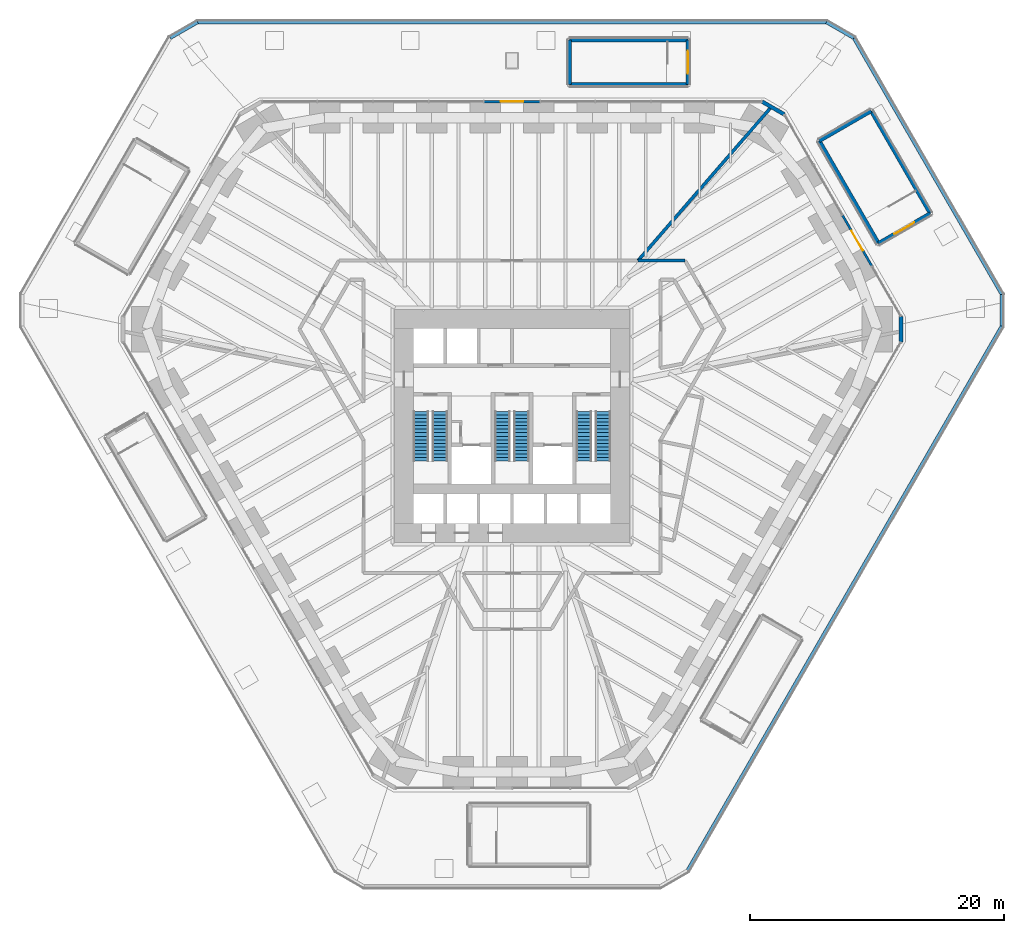
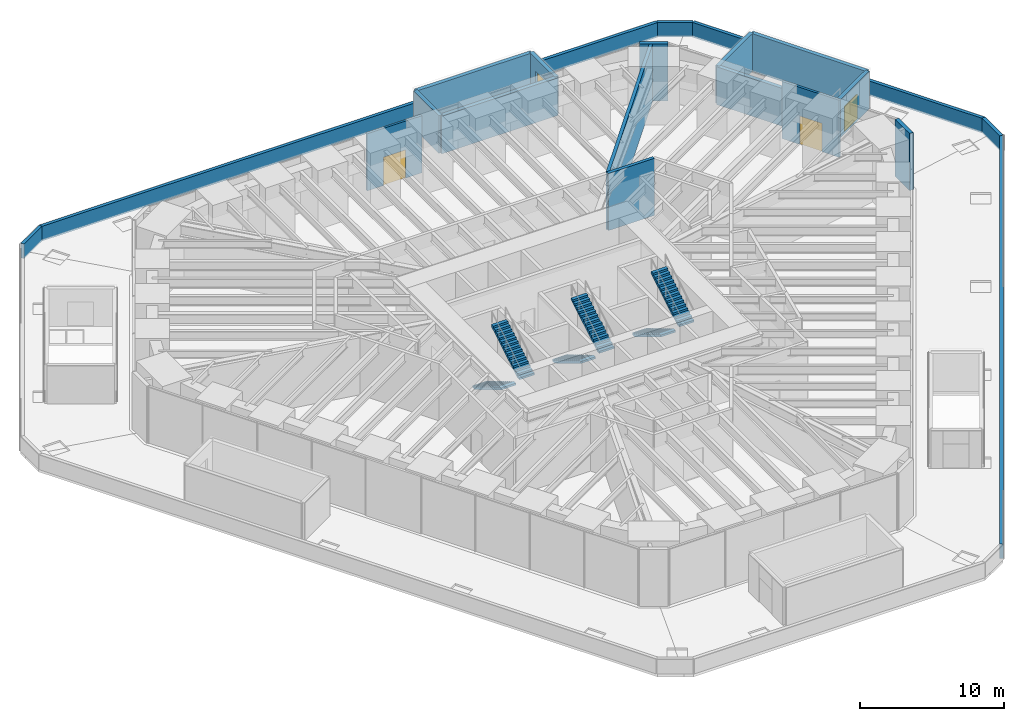
# One storey, part 14 of 20: 20 walls, 6 stair flights, 4 doors, 4 openings, 3 elements without a shape of their own.
"""IFC4 building model written with IfcOpenShell, lengths in metres."""

from ifc_helpers import new_model, si_unit, direction, frame, frame_2d, origin, place, context, subcontext, project, spatial, polyline, rectangle, outline, extrude, material, layer, layer_set, type_object, element, fill, aggregate, save


model = new_model("IFC4")

# Units and contexts
model_context = context("Model", 3, precision=1e-05, world=origin(), true_north=direction((0.0, 1.0)))
body_context = subcontext(model_context, "Body", "Model", "MODEL_VIEW")
ifc_project = project(units=[si_unit("LENGTHUNIT", "METRE"), si_unit("AREAUNIT", "SQUARE_METRE"), si_unit("VOLUMEUNIT", "CUBIC_METRE"), si_unit("PLANEANGLEUNIT", "RADIAN"), si_unit("MASSUNIT", "GRAM", prefix="KILO")], contexts=[model_context])

# Site, building, storey
site_placement = place(None, origin())
site = spatial("IfcSite", under=ifc_project, at=site_placement, CompositionType="ELEMENT")
building_placement = place(site_placement, origin())
building = spatial("IfcBuilding", under=site, at=building_placement, Name="Sandreach Pilgrim Tower", CompositionType="ELEMENT")
storey_placement = place(building_placement, frame((0.0, 0.0, 18.0)))
storey = spatial("IfcBuildingStorey", under=building, at=storey_placement, Name="L03", CompositionType="ELEMENT", Elevation=18.0)

# Wall, opening, door
ifc_material_1 = material(Name="Glazed aluminium screen", Category="aluminium")
ifc_layer_1 = layer(ifc_material_1, 0.179931640625)
ifc_layer_set_1 = layer_set([ifc_layer_1], Name="Glazed entrance screen wall")
wall_type_1 = type_object("IfcWallType", Name="Glazed entrance screen wall", PredefinedType="SOLIDWALL", material=ifc_layer_set_1)
wall_1_placement = place(storey_placement, frame((-2.185791015625, 23.94873046875, 0.0), z_axis=(0.0, 0.0, 1.0), x_axis=(1.0, 0.0, 0.0)))
wall_1 = element("IfcWall", 1, at=wall_1_placement, inside=storey, type_object=wall_type_1, Name="Terrace screen wall L03 N", PredefinedType="SOLIDWALL", context=body_context, shape_type="SweptSolid", body=[
    extrude(rectangle(XDim=4.37158203125, YDim=0.179931640625, at=frame_2d((2.185791015625, 0.0))), origin(), (0.0, 0.0, 1.0), 4.840087890625),
])
opening_1_placement = place(wall_1_placement, frame((1.285888671875, 0.0, 0.0)))
opening_1 = element("IfcOpeningElement", 2, at=opening_1_placement, cuts=wall_1, Name="Opening D18T-N1", PredefinedType="OPENING", context=body_context, shape_type="SweptSolid", body=[
    extrude(rectangle(XDim=1.800048828125, YDim=2.39990234375, at=frame_2d((0.89990234375, 1.199951171875))), frame((0.0, 0.08984375, 0.0), z_axis=(0.0, -1.0, 0.0), x_axis=(1.0, 0.0, 0.0)), (0.0, 0.0, 1.0), 0.179931640625),
])
ifc_material_2 = material(Name="Aluminium and glass", Category="aluminium")
door_type_1 = type_object("IfcDoorType", Name="Terrace double door", OperationType="DOUBLE_DOOR_SINGLE_SWING", PredefinedType="DOOR", material=ifc_material_2)
door_1_placement = place(opening_1_placement, origin())
door_1 = element("IfcDoor", 3, at=door_1_placement, inside=storey, type_object=door_type_1, Name="Terrace door L03 N1", OperationType="SINGLE_SWING_LEFT", OverallHeight=2.39990234375, OverallWidth=1.800048828125, PredefinedType="DOOR", context=body_context, shape_type="SweptSolid", body=[
    extrude(rectangle(XDim=1.800048828125, YDim=2.39990234375, at=frame_2d((0.89990234375, 1.199951171875))), frame((0.0, 0.02490234375, 0.0), z_axis=(0.0, -1.0, 0.0), x_axis=(1.0, 0.0, 0.0)), (0.0, 0.0, 1.0), 0.050048828125),
])
fill(opening_1, door_1)

wall_2_placement = place(storey_placement, frame((25.990234375, 15.00537109375, 0.0), z_axis=(0.0, 0.0, 1.0), x_axis=(0.499986657325, -0.866033107044, 0.0)))
wall_2 = element("IfcWall", 4, at=wall_2_placement, inside=storey, type_object=wall_type_1, Name="Terrace screen wall L03 NE", PredefinedType="SOLIDWALL", context=body_context, shape_type="SweptSolid", body=[
    extrude(rectangle(XDim=4.586181640625, YDim=0.179931640625, at=frame_2d((2.29296875, 0.0))), origin(), (0.0, 0.0, 1.0), 4.840087890625),
])
opening_2_placement = place(wall_2_placement, frame((1.39306640625, 0.0, 0.0)))
opening_2 = element("IfcOpeningElement", 5, at=opening_2_placement, cuts=wall_2, Name="Opening D18T-NE1", PredefinedType="OPENING", context=body_context, shape_type="SweptSolid", body=[
    extrude(rectangle(XDim=1.800048828125, YDim=2.39990234375, at=frame_2d((0.89990234375, 1.199951171875))), frame((0.0, 0.08984375, 0.0), z_axis=(0.0, -1.0, 0.0), x_axis=(1.0, 0.0, 0.0)), (0.0, 0.0, 1.0), 0.179931640625),
])
door_2_placement = place(opening_2_placement, origin())
door_2 = element("IfcDoor", 6, at=door_2_placement, inside=storey, type_object=door_type_1, Name="Terrace door L03 NE1", OperationType="SINGLE_SWING_LEFT", OverallHeight=2.39990234375, OverallWidth=1.800048828125, PredefinedType="DOOR", context=body_context, shape_type="SweptSolid", body=[
    extrude(rectangle(XDim=1.800048828125, YDim=2.39990234375, at=frame_2d((0.89990234375, 1.199951171875))), frame((0.0, 0.02490234375, 0.0), z_axis=(0.0, -1.0, 0.0), x_axis=(1.0, 0.0, 0.0)), (0.0, 0.0, 1.0), 0.050048828125),
])
fill(opening_2, door_2)

# Walls
ifc_material_3 = material(Name="Acoustic gypsum board wall, double frame", Category="gypsum")
ifc_layer_2 = layer(ifc_material_3, 0.25)
ifc_layer_set_2 = layer_set([ifc_layer_2], Name="Hall partition 250")
wall_type_2 = type_object("IfcWallType", Name="Hall partition 250", PredefinedType="PARTITIONING", material=ifc_layer_set_2)
wall_3_placement = place(storey_placement, frame((13.610107421875, 11.449951171875, 0.0), z_axis=(0.0, 0.0, 1.0), x_axis=(-1.0, 0.0, 0.0)))
element("IfcWall", 7, at=wall_3_placement, inside=storey, type_object=wall_type_2, Name="Hall partition L03-040", PredefinedType="PARTITIONING", context=body_context, shape_type="SweptSolid", body=[
    extrude(rectangle(XDim=3.7001953125, YDim=0.25, at=frame_2d((1.85009765625, 0.0))), origin(), (0.0, 0.0, 1.0), 4.840087890625),
])
wall_4_placement = place(storey_placement, frame((20.400390625, 23.54736328125, 0.0), z_axis=(0.0, 0.0, 1.0), x_axis=(-0.655146445725, -0.7555019091, 0.0)))
element("IfcWall", 8, at=wall_4_placement, inside=storey, type_object=wall_type_2, Name="Hall partition L03-048", PredefinedType="PARTITIONING", context=body_context, shape_type="SweptSolid", body=[
    extrude(rectangle(XDim=16.012451171875, YDim=0.25, at=frame_2d((8.00634765625, 0.0))), origin(), (0.0, 0.0, 1.0), 4.840087890625),
])
ifc_material_4 = material(Name="Concrete parapet with terracotta coping", Category="masonry")
ifc_layer_3 = layer(ifc_material_4, 0.25)
ifc_layer_set_3 = layer_set([ifc_layer_3], Name="Setback parapet")
wall_type_3 = type_object("IfcWallType", Name="Setback parapet", PredefinedType="PARAPET", material=ifc_layer_set_3)
wall_5_placement = place(storey_placement, frame((-24.711669921875, 30.19482421875, -0.14990234375), z_axis=(0.0, 0.0, 1.0), x_axis=(-0.866373182582, -0.499397145068, 0.0)))
element("IfcWall", 9, at=wall_5_placement, inside=storey, type_object=wall_type_3, Name="Setback parapet L03 1", PredefinedType="PARAPET", context=body_context, shape_type="SweptSolid", body=[
    extrude(rectangle(XDim=2.49072265625, YDim=0.25, at=frame_2d((1.245361328125, 0.0))), origin(), (0.0, 0.0, 1.0), 1.25),
])
wall_6_placement = place(storey_placement, frame((13.793701171875, -36.498291015625, -0.14990234375), z_axis=(0.0, 0.0, 1.0), x_axis=(0.500000964025, 0.866024847203, 0.0)))
element("IfcWall", 10, at=wall_6_placement, inside=storey, type_object=wall_type_3, Name="Setback parapet L03 8", PredefinedType="PARAPET", context=body_context, shape_type="SweptSolid", body=[
    extrude(rectangle(XDim=49.42333984375, YDim=0.25, at=frame_2d((24.711669921875, 0.0))), origin(), (0.0, 0.0, 1.0), 1.25),
])
wall_7_placement = place(storey_placement, frame((38.50537109375, 6.303466796875, -0.14990234375), z_axis=(0.0, 0.0, 1.0), x_axis=(0.000686072562, 0.999999764652, 0.0)))
element("IfcWall", 11, at=wall_7_placement, inside=storey, type_object=wall_type_3, Name="Setback parapet L03 9", PredefinedType="PARAPET", context=body_context, shape_type="SweptSolid", body=[
    extrude(rectangle(XDim=2.490966796875, YDim=0.25, at=frame_2d((1.24560546875, 0.0))), origin(), (0.0, 0.0, 1.0), 1.25),
])
wall_8_placement = place(storey_placement, frame((38.507080078125, 8.79443359375, -0.14990234375), z_axis=(0.0, 0.0, 1.0), x_axis=(-0.50000302432, 0.866023657685, 0.0)))
element("IfcWall", 12, at=wall_8_placement, inside=storey, type_object=wall_type_3, Name="Setback parapet L03 10", PredefinedType="PARAPET", context=body_context, shape_type="SweptSolid", body=[
    extrude(rectangle(XDim=23.274658203125, YDim=0.25, at=frame_2d((11.63720703125, 0.0))), origin(), (0.0, 0.0, 1.0), 1.25),
])
wall_9_placement = place(storey_placement, frame((26.86962890625, 28.950927734375, -0.14990234375), z_axis=(0.0, 0.0, 1.0), x_axis=(-0.866373182582, 0.499397145068, 0.0)))
element("IfcWall", 13, at=wall_9_placement, inside=storey, type_object=wall_type_3, Name="Setback parapet L03 11", PredefinedType="PARAPET", context=body_context, shape_type="SweptSolid", body=[
    extrude(rectangle(XDim=2.49072265625, YDim=0.25, at=frame_2d((1.245361328125, 0.0))), origin(), (0.0, 0.0, 1.0), 1.25),
])
wall_10_placement = place(storey_placement, frame((24.711669921875, 30.19482421875, -0.14990234375), z_axis=(0.0, 0.0, 1.0), x_axis=(-1.0, 0.0, 0.0)))
element("IfcWall", 14, at=wall_10_placement, inside=storey, type_object=wall_type_3, Name="Setback parapet L03 12", PredefinedType="PARAPET", context=body_context, shape_type="SweptSolid", body=[
    extrude(rectangle(XDim=49.42333984375, YDim=0.25, at=frame_2d((24.711669921875, 0.0))), origin(), (0.0, 0.0, 1.0), 1.25),
])
ifc_material_5 = material(Name="Concrete 8000 psi", Category="concrete")
ifc_layer_4 = layer(ifc_material_5, 0.300048828125)
ifc_layer_set_4 = layer_set([ifc_layer_4], Name="Stair head-house wall 300")
wall_type_4 = type_object("IfcWallType", Name="Stair head-house wall 300", PredefinedType="SHEAR", material=ifc_layer_set_4)
wall_11_placement = place(storey_placement, frame((28.81494140625, 12.81298828125, 0.0), z_axis=(0.0, 0.0, 1.0), x_axis=(-0.500015592816, 0.866016401081, 0.0)))
element("IfcWall", 15, at=wall_11_placement, inside=storey, type_object=wall_type_4, Name="Stair ST4 head-house wall 1", PredefinedType="SHEAR", context=body_context, shape_type="SweptSolid", body=[
    extrude(rectangle(XDim=9.300048828125, YDim=0.300048828125, at=frame_2d((4.64990234375, 0.0))), origin(), (0.0, 0.0, 1.0), 3.199951171875),
])
wall_12_placement = place(storey_placement, frame((24.164794921875, 20.866943359375, 0.0), z_axis=(0.0, 0.0, 1.0), x_axis=(0.866016039709, 0.500016218704, 0.0)))
element("IfcWall", 16, at=wall_12_placement, inside=storey, type_object=wall_type_4, Name="Stair ST4 head-house wall 2", PredefinedType="SHEAR", context=body_context, shape_type="SweptSolid", body=[
    extrude(rectangle(XDim=4.699951171875, YDim=0.300048828125, at=frame_2d((2.35009765625, 0.0))), origin(), (0.0, 0.0, 1.0), 3.199951171875),
])
wall_13_placement = place(storey_placement, frame((28.235107421875, 23.217041015625, 0.0), z_axis=(0.0, 0.0, 1.0), x_axis=(0.500004225487, -0.866022964185, 0.0)))
element("IfcWall", 17, at=wall_13_placement, inside=storey, type_object=wall_type_4, Name="Stair ST4 head-house wall 3", PredefinedType="SHEAR", context=body_context, shape_type="SweptSolid", body=[
    extrude(rectangle(XDim=9.30029296875, YDim=0.300048828125, at=frame_2d((4.650146484375, 0.0))), origin(), (0.0, 0.0, 1.0), 3.199951171875),
])

# Wall, opening, door
wall_14_placement = place(storey_placement, frame((32.88525390625, 15.162841796875, 0.0), z_axis=(0.0, 0.0, 1.0), x_axis=(-0.866038532462, -0.499977259774, 0.0)))
wall_14 = element("IfcWall", 18, at=wall_14_placement, inside=storey, type_object=wall_type_4, Name="Stair ST4 head-house wall 4", PredefinedType="SHEAR", context=body_context, shape_type="SweptSolid", body=[
    extrude(rectangle(XDim=4.699951171875, YDim=0.300048828125, at=frame_2d((2.35009765625, 0.0))), origin(), (0.0, 0.0, 1.0), 3.199951171875),
])
opening_3_placement = place(wall_14_placement, frame((1.449951171875, 0.0, 0.0)))
opening_3 = element("IfcOpeningElement", 19, at=opening_3_placement, cuts=wall_14, Name="Opening D18R-ST4", PredefinedType="OPENING", context=body_context, shape_type="SweptSolid", body=[
    extrude(rectangle(XDim=1.800048828125, YDim=2.10009765625, at=frame_2d((0.89990234375, 1.050048828125))), frame((0.0, 0.14990234375, 0.0), z_axis=(0.0, -1.0, 0.0), x_axis=(1.0, 0.0, 0.0)), (0.0, 0.0, 1.0), 0.300048828125),
])
ifc_material_6 = material(Name="Steel door and frame", Category="steel")
door_type_2 = type_object("IfcDoorType", Name="Head-house door", OperationType="DOUBLE_DOOR_SINGLE_SWING", PredefinedType="DOOR", material=ifc_material_6)
door_3_placement = place(opening_3_placement, origin())
door_3 = element("IfcDoor", 20, at=door_3_placement, inside=storey, type_object=door_type_2, Name="Head-house door ST4 L03", OperationType="DOUBLE_DOOR_SINGLE_SWING", OverallHeight=2.10009765625, OverallWidth=1.800048828125, PredefinedType="DOOR", context=body_context, shape_type="SweptSolid", body=[
    extrude(rectangle(XDim=1.800048828125, YDim=2.10009765625, at=frame_2d((0.89990234375, 1.050048828125))), frame((0.0, 0.02490234375, 0.0), z_axis=(0.0, -1.0, 0.0), x_axis=(1.0, 0.0, 0.0)), (0.0, 0.0, 1.0), 0.050048828125),
])
fill(opening_3, door_3)

# Walls
wall_15_placement = place(storey_placement, frame((13.829833984375, 25.298828125, 0.0), z_axis=(0.0, 0.0, 1.0), x_axis=(-1.0, 0.0, 0.0)))
element("IfcWall", 21, at=wall_15_placement, inside=storey, type_object=wall_type_4, Name="Stair ST7 head-house wall 1", PredefinedType="SHEAR", context=body_context, shape_type="SweptSolid", body=[
    extrude(rectangle(XDim=9.300048828125, YDim=0.300048828125, at=frame_2d((4.64990234375, 0.0))), origin(), (0.0, 0.0, 1.0), 3.199951171875),
])
wall_16_placement = place(storey_placement, frame((4.52978515625, 25.298828125, 0.0), z_axis=(0.0, 0.0, 1.0), x_axis=(0.0, 1.0, 0.0)))
element("IfcWall", 22, at=wall_16_placement, inside=storey, type_object=wall_type_4, Name="Stair ST7 head-house wall 2", PredefinedType="SHEAR", context=body_context, shape_type="SweptSolid", body=[
    extrude(rectangle(XDim=3.5, YDim=0.300048828125, at=frame_2d((1.75, 0.0))), origin(), (0.0, 0.0, 1.0), 3.199951171875),
])
wall_17_placement = place(storey_placement, frame((4.52978515625, 28.798828125, 0.0), z_axis=(0.0, 0.0, 1.0), x_axis=(1.0, 0.0, 0.0)))
element("IfcWall", 23, at=wall_17_placement, inside=storey, type_object=wall_type_4, Name="Stair ST7 head-house wall 3", PredefinedType="SHEAR", context=body_context, shape_type="SweptSolid", body=[
    extrude(rectangle(XDim=9.300048828125, YDim=0.300048828125, at=frame_2d((4.64990234375, 0.0))), origin(), (0.0, 0.0, 1.0), 3.199951171875),
])

# Wall, opening, door
wall_18_placement = place(storey_placement, frame((13.829833984375, 28.798828125, 0.0), z_axis=(0.0, 0.0, 1.0), x_axis=(0.0, -1.0, 0.0)))
wall_18 = element("IfcWall", 24, at=wall_18_placement, inside=storey, type_object=wall_type_4, Name="Stair ST7 head-house wall 4", PredefinedType="SHEAR", context=body_context, shape_type="SweptSolid", body=[
    extrude(rectangle(XDim=3.5, YDim=0.300048828125, at=frame_2d((1.75, 0.0))), origin(), (0.0, 0.0, 1.0), 3.199951171875),
])
opening_4_placement = place(wall_18_placement, frame((0.85009765625, 0.0, 0.0)))
opening_4 = element("IfcOpeningElement", 25, at=opening_4_placement, cuts=wall_18, Name="Opening D18R-ST7", PredefinedType="OPENING", context=body_context, shape_type="SweptSolid", body=[
    extrude(rectangle(XDim=1.800048828125, YDim=2.10009765625, at=frame_2d((0.89990234375, 1.050048828125))), frame((0.0, 0.14990234375, 0.0), z_axis=(0.0, -1.0, 0.0), x_axis=(1.0, 0.0, 0.0)), (0.0, 0.0, 1.0), 0.300048828125),
])
door_4_placement = place(opening_4_placement, origin())
door_4 = element("IfcDoor", 26, at=door_4_placement, inside=storey, type_object=door_type_2, Name="Head-house door ST7 L03", OperationType="DOUBLE_DOOR_SINGLE_SWING", OverallHeight=2.10009765625, OverallWidth=1.800048828125, PredefinedType="DOOR", context=body_context, shape_type="SweptSolid", body=[
    extrude(rectangle(XDim=1.800048828125, YDim=2.10009765625, at=frame_2d((0.89990234375, 1.050048828125))), frame((0.0, 0.02490234375, 0.0), z_axis=(0.0, -1.0, 0.0), x_axis=(1.0, 0.0, 0.0)), (0.0, 0.0, 1.0), 0.050048828125),
])
fill(opening_4, door_4)

# Walls
ifc_material_7 = material(Name="Terracotta rainscreen on concrete", Category="masonry")
ifc_layer_5 = layer(ifc_material_7, 0.300048828125)
ifc_layer_set_5 = layer_set([ifc_layer_5], Name="Terracotta chamfer pier")
wall_type_5 = type_object("IfcWallType", Name="Terracotta chamfer pier", PredefinedType="SOLIDWALL", material=ifc_layer_set_5)
for number, where, z_axis, x_axis, name in (
    (27, (19.672119140625, 23.94873046875, 0.0), (0.0, 0.0, 1.0), (0.866010750942, -0.50002537861, 0.0), "Chamfer pier L03 N"),
    (28, (30.576171875, 7.062255859375, 0.0), (0.0, 0.0, 1.0), (0.0, -1.0, 0.0), "Chamfer pier L03 NE"),
):
    element("IfcWall", number, at=place(storey_placement, frame(where, z_axis=z_axis, x_axis=x_axis)), inside=storey, type_object=wall_type_5, Name=name, PredefinedType="SOLIDWALL", context=body_context, shape_type="SweptSolid", body=[
        extrude(rectangle(XDim=2.0, YDim=0.300048828125, at=frame_2d((1.0, 0.0))), origin(), (0.0, 0.0, 1.0), 4.840087890625),
    ])

# Stair, stair flights
ifc_material_8 = material(Name="Concrete 8000 psi", Category="concrete")
stair_type = type_object("IfcStairType", Name="Core exit stair", PredefinedType="HALF_TURN_STAIR", material=ifc_material_8)
stair_1_placement = place(storey_placement, origin())
stair_1 = element("IfcStair", 29, at=stair_1_placement, inside=storey, type_object=stair_type, Name="Exit stair ST1 L03", PredefinedType="HALF_TURN_STAIR")
ifc_material_9 = material(Name="Concrete 8000 psi", Category="concrete")
stair_flight_type = type_object("IfcStairFlightType", Name="Core stair flight 1200", PredefinedType="STRAIGHT", material=ifc_material_9)
stair_flight_1_placement = place(storey_placement, frame((-7.14990234375, -0.39990234375, 0.0), z_axis=(0.0, 0.0, 1.0), x_axis=(0.0, -1.0, 0.0)))
stair_flight_1 = element("IfcStairFlight", 30, at=stair_flight_1_placement, type_object=stair_flight_type, Name="ST1 flight 1", NumberOfRisers=15, NumberOfTreads=14, PredefinedType="STRAIGHT", RiserHeight=0.166666667, TreadLength=0.28, context=body_context, shape_type="SweptSolid", body=[
    extrude(outline(polyline([(0.0, 0.0), (0.0, 0.166748046875), (0.280029296875, 0.166748046875), (0.280029296875, 0.333251953125), (0.56005859375, 0.333251953125), (0.56005859375, 0.5), (0.840087890625, 0.5), (0.840087890625, 0.666748046875), (1.1201171875, 0.666748046875), (1.1201171875, 0.833251953125), (1.39990234375, 0.833251953125), (1.39990234375, 1.0), (1.679931640625, 1.0), (1.679931640625, 1.166748046875), (1.9599609375, 1.166748046875), (1.9599609375, 1.333251953125), (2.239990234375, 1.333251953125), (2.239990234375, 1.5), (2.52001953125, 1.5), (2.52001953125, 1.666748046875), (2.800048828125, 1.666748046875), (2.800048828125, 1.833251953125), (3.080078125, 1.833251953125), (3.080078125, 2.0), (3.360107421875, 2.0), (3.360107421875, 2.166748046875), (3.639892578125, 2.166748046875), (3.639892578125, 2.333251953125), (3.919921875, 2.333251953125), (3.919921875, 2.5), (3.919921875, 2.158935546875), (0.29296875, 0.0), (0.0, 0.0)])), frame((0.0, 0.60009765625, 0.0), z_axis=(0.0, -1.0, 0.0), x_axis=(1.0, 0.0, 0.0)), (0.0, 0.0, 1.0), 1.199951171875),
])
stair_flight_2_placement = place(storey_placement, frame((-5.64990234375, -4.320068359375, 2.5), z_axis=(0.0, 0.0, 1.0), x_axis=(0.0, 1.0, 0.0)))
stair_flight_2 = element("IfcStairFlight", 31, at=stair_flight_2_placement, type_object=stair_flight_type, Name="ST1 flight 2", NumberOfRisers=15, NumberOfTreads=14, PredefinedType="STRAIGHT", RiserHeight=0.166666667, TreadLength=0.28, context=body_context, shape_type="SweptSolid", body=[
    extrude(outline(polyline([(0.0, 0.0), (0.0, 0.166748046875), (0.280029296875, 0.166748046875), (0.280029296875, 0.333251953125), (0.56005859375, 0.333251953125), (0.56005859375, 0.5), (0.840087890625, 0.5), (0.840087890625, 0.666748046875), (1.1201171875, 0.666748046875), (1.1201171875, 0.833251953125), (1.39990234375, 0.833251953125), (1.39990234375, 1.0), (1.679931640625, 1.0), (1.679931640625, 1.166748046875), (1.9599609375, 1.166748046875), (1.9599609375, 1.333251953125), (2.239990234375, 1.333251953125), (2.239990234375, 1.5), (2.52001953125, 1.5), (2.52001953125, 1.666748046875), (2.800048828125, 1.666748046875), (2.800048828125, 1.833251953125), (3.080078125, 1.833251953125), (3.080078125, 2.0), (3.360107421875, 2.0), (3.360107421875, 2.166748046875), (3.639892578125, 2.166748046875), (3.639892578125, 2.333251953125), (3.919921875, 2.333251953125), (3.919921875, 2.5), (3.919921875, 2.158935546875), (0.29296875, 0.0), (0.0, 0.0)])), frame((0.0, 0.60009765625, 0.0), z_axis=(0.0, -1.0, 0.0), x_axis=(1.0, 0.0, 0.0)), (0.0, 0.0, 1.0), 1.199951171875),
])
aggregate(stair_1, [stair_flight_1, stair_flight_2])

stair_2_placement = place(storey_placement, origin())
stair_2 = element("IfcStair", 32, at=stair_2_placement, inside=storey, type_object=stair_type, Name="Exit stair ST3 L03", PredefinedType="HALF_TURN_STAIR")
stair_flight_3_placement = place(storey_placement, frame((-0.75, -0.39990234375, 0.0), z_axis=(0.0, 0.0, 1.0), x_axis=(0.0, -1.0, 0.0)))
stair_flight_3 = element("IfcStairFlight", 33, at=stair_flight_3_placement, type_object=stair_flight_type, Name="ST3 flight 1", NumberOfRisers=15, NumberOfTreads=14, PredefinedType="STRAIGHT", RiserHeight=0.166666667, TreadLength=0.28, context=body_context, shape_type="SweptSolid", body=[
    extrude(outline(polyline([(0.0, 0.0), (0.0, 0.166748046875), (0.280029296875, 0.166748046875), (0.280029296875, 0.333251953125), (0.56005859375, 0.333251953125), (0.56005859375, 0.5), (0.840087890625, 0.5), (0.840087890625, 0.666748046875), (1.1201171875, 0.666748046875), (1.1201171875, 0.833251953125), (1.39990234375, 0.833251953125), (1.39990234375, 1.0), (1.679931640625, 1.0), (1.679931640625, 1.166748046875), (1.9599609375, 1.166748046875), (1.9599609375, 1.333251953125), (2.239990234375, 1.333251953125), (2.239990234375, 1.5), (2.52001953125, 1.5), (2.52001953125, 1.666748046875), (2.800048828125, 1.666748046875), (2.800048828125, 1.833251953125), (3.080078125, 1.833251953125), (3.080078125, 2.0), (3.360107421875, 2.0), (3.360107421875, 2.166748046875), (3.639892578125, 2.166748046875), (3.639892578125, 2.333251953125), (3.919921875, 2.333251953125), (3.919921875, 2.5), (3.919921875, 2.158935546875), (0.29296875, 0.0), (0.0, 0.0)])), frame((0.0, 0.60009765625, 0.0), z_axis=(0.0, -1.0, 0.0), x_axis=(1.0, 0.0, 0.0)), (0.0, 0.0, 1.0), 1.199951171875),
])
stair_flight_4_placement = place(storey_placement, frame((0.75, -4.320068359375, 2.5), z_axis=(0.0, 0.0, 1.0), x_axis=(0.0, 1.0, 0.0)))
stair_flight_4 = element("IfcStairFlight", 34, at=stair_flight_4_placement, type_object=stair_flight_type, Name="ST3 flight 2", NumberOfRisers=15, NumberOfTreads=14, PredefinedType="STRAIGHT", RiserHeight=0.166666667, TreadLength=0.28, context=body_context, shape_type="SweptSolid", body=[
    extrude(outline(polyline([(0.0, 0.0), (0.0, 0.166748046875), (0.280029296875, 0.166748046875), (0.280029296875, 0.333251953125), (0.56005859375, 0.333251953125), (0.56005859375, 0.5), (0.840087890625, 0.5), (0.840087890625, 0.666748046875), (1.1201171875, 0.666748046875), (1.1201171875, 0.833251953125), (1.39990234375, 0.833251953125), (1.39990234375, 1.0), (1.679931640625, 1.0), (1.679931640625, 1.166748046875), (1.9599609375, 1.166748046875), (1.9599609375, 1.333251953125), (2.239990234375, 1.333251953125), (2.239990234375, 1.5), (2.52001953125, 1.5), (2.52001953125, 1.666748046875), (2.800048828125, 1.666748046875), (2.800048828125, 1.833251953125), (3.080078125, 1.833251953125), (3.080078125, 2.0), (3.360107421875, 2.0), (3.360107421875, 2.166748046875), (3.639892578125, 2.166748046875), (3.639892578125, 2.333251953125), (3.919921875, 2.333251953125), (3.919921875, 2.5), (3.919921875, 2.158935546875), (0.29296875, 0.0), (0.0, 0.0)])), frame((0.0, 0.60009765625, 0.0), z_axis=(0.0, -1.0, 0.0), x_axis=(1.0, 0.0, 0.0)), (0.0, 0.0, 1.0), 1.199951171875),
])
aggregate(stair_2, [stair_flight_3, stair_flight_4])

stair_3_placement = place(storey_placement, origin())
stair_3 = element("IfcStair", 35, at=stair_3_placement, inside=storey, type_object=stair_type, Name="Exit stair ST2 L03", PredefinedType="HALF_TURN_STAIR")
stair_flight_5_placement = place(storey_placement, frame((5.64990234375, -0.39990234375, 0.0), z_axis=(0.0, 0.0, 1.0), x_axis=(0.0, -1.0, 0.0)))
stair_flight_5 = element("IfcStairFlight", 36, at=stair_flight_5_placement, type_object=stair_flight_type, Name="ST2 flight 1", NumberOfRisers=15, NumberOfTreads=14, PredefinedType="STRAIGHT", RiserHeight=0.166666667, TreadLength=0.28, context=body_context, shape_type="SweptSolid", body=[
    extrude(outline(polyline([(0.0, 0.0), (0.0, 0.166748046875), (0.280029296875, 0.166748046875), (0.280029296875, 0.333251953125), (0.56005859375, 0.333251953125), (0.56005859375, 0.5), (0.840087890625, 0.5), (0.840087890625, 0.666748046875), (1.1201171875, 0.666748046875), (1.1201171875, 0.833251953125), (1.39990234375, 0.833251953125), (1.39990234375, 1.0), (1.679931640625, 1.0), (1.679931640625, 1.166748046875), (1.9599609375, 1.166748046875), (1.9599609375, 1.333251953125), (2.239990234375, 1.333251953125), (2.239990234375, 1.5), (2.52001953125, 1.5), (2.52001953125, 1.666748046875), (2.800048828125, 1.666748046875), (2.800048828125, 1.833251953125), (3.080078125, 1.833251953125), (3.080078125, 2.0), (3.360107421875, 2.0), (3.360107421875, 2.166748046875), (3.639892578125, 2.166748046875), (3.639892578125, 2.333251953125), (3.919921875, 2.333251953125), (3.919921875, 2.5), (3.919921875, 2.158935546875), (0.29296875, 0.0), (0.0, 0.0)])), frame((0.0, 0.60009765625, 0.0), z_axis=(0.0, -1.0, 0.0), x_axis=(1.0, 0.0, 0.0)), (0.0, 0.0, 1.0), 1.199951171875),
])
stair_flight_6_placement = place(storey_placement, frame((7.14990234375, -4.320068359375, 2.5), z_axis=(0.0, 0.0, 1.0), x_axis=(0.0, 1.0, 0.0)))
stair_flight_6 = element("IfcStairFlight", 37, at=stair_flight_6_placement, type_object=stair_flight_type, Name="ST2 flight 2", NumberOfRisers=15, NumberOfTreads=14, PredefinedType="STRAIGHT", RiserHeight=0.166666667, TreadLength=0.28, context=body_context, shape_type="SweptSolid", body=[
    extrude(outline(polyline([(0.0, 0.0), (0.0, 0.166748046875), (0.280029296875, 0.166748046875), (0.280029296875, 0.333251953125), (0.56005859375, 0.333251953125), (0.56005859375, 0.5), (0.840087890625, 0.5), (0.840087890625, 0.666748046875), (1.1201171875, 0.666748046875), (1.1201171875, 0.833251953125), (1.39990234375, 0.833251953125), (1.39990234375, 1.0), (1.679931640625, 1.0), (1.679931640625, 1.166748046875), (1.9599609375, 1.166748046875), (1.9599609375, 1.333251953125), (2.239990234375, 1.333251953125), (2.239990234375, 1.5), (2.52001953125, 1.5), (2.52001953125, 1.666748046875), (2.800048828125, 1.666748046875), (2.800048828125, 1.833251953125), (3.080078125, 1.833251953125), (3.080078125, 2.0), (3.360107421875, 2.0), (3.360107421875, 2.166748046875), (3.639892578125, 2.166748046875), (3.639892578125, 2.333251953125), (3.919921875, 2.333251953125), (3.919921875, 2.5), (3.919921875, 2.158935546875), (0.29296875, 0.0), (0.0, 0.0)])), frame((0.0, 0.60009765625, 0.0), z_axis=(0.0, -1.0, 0.0), x_axis=(1.0, 0.0, 0.0)), (0.0, 0.0, 1.0), 1.199951171875),
])
aggregate(stair_3, [stair_flight_5, stair_flight_6])

save(model, "model.ifc")
